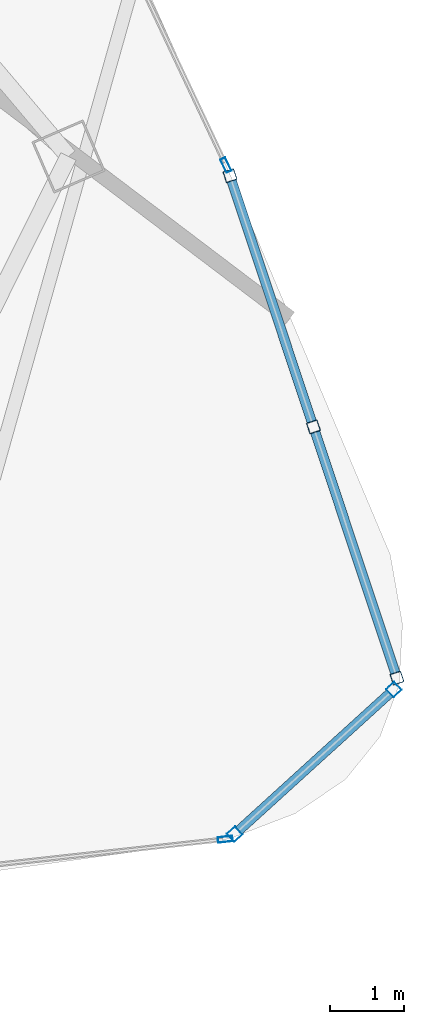
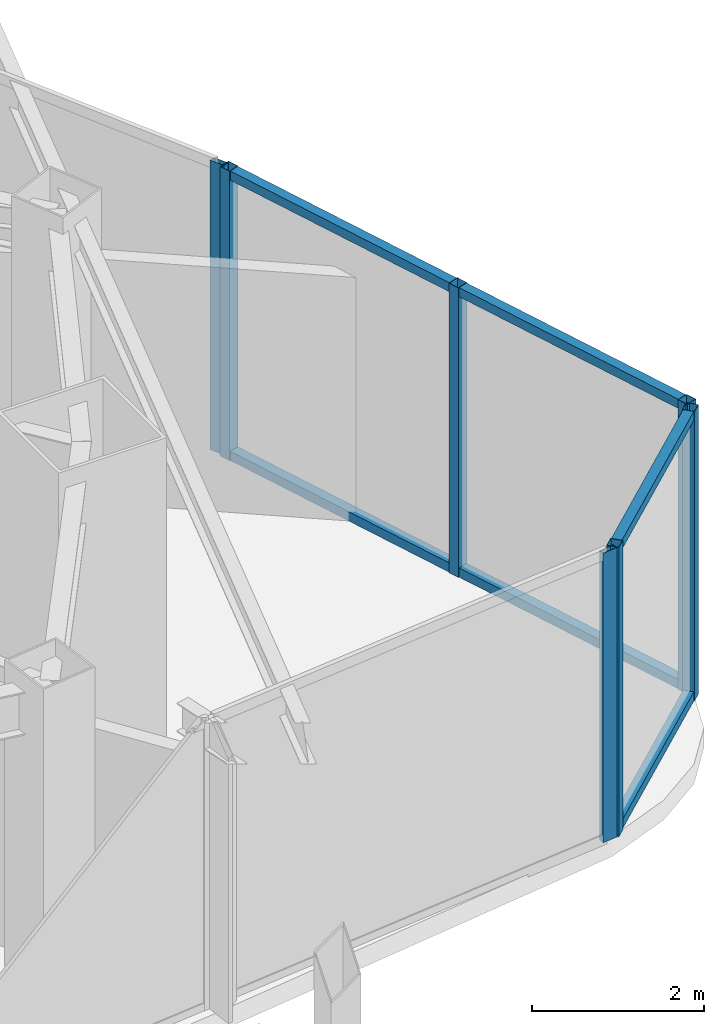
# One storey, part 14 of 28: 13 members, 4 elements without a shape of their own.
"""IFC4 building model written with IfcOpenShell, lengths in metres."""

from ifc_helpers import new_model, si_unit, direction, frame, origin, origin_2d, place, context, subcontext, project, spatial, hollow_rectangle, extrude, material, layer, layer_set, material_profile, profile_set, type_object, element, aggregate, save


model = new_model("IFC4")

# Units and contexts
model_context = context("Model", 3, precision=1e-05, world=origin(), true_north=direction((0.0, 1.0)))
body_context = subcontext(model_context, "Body", "Model", "MODEL_VIEW")
ifc_project = project(units=[si_unit("LENGTHUNIT", "METRE"), si_unit("AREAUNIT", "SQUARE_METRE"), si_unit("VOLUMEUNIT", "CUBIC_METRE"), si_unit("PLANEANGLEUNIT", "RADIAN"), si_unit("MASSUNIT", "GRAM", prefix="KILO")], contexts=[model_context])

# Site, building, storey
site_placement = place(None, origin())
site = spatial("IfcSite", under=ifc_project, at=site_placement, CompositionType="ELEMENT")
building_placement = place(site_placement, origin())
building = spatial("IfcBuilding", under=site, at=building_placement, Name="Orvanel Arch Residences", CompositionType="ELEMENT")
storey_placement = place(building_placement, frame((0.0, 0.0, 146.300048828125)))
storey = spatial("IfcBuildingStorey", under=building, at=storey_placement, Name="L41", CompositionType="ELEMENT", Elevation=146.300048828125)

# Curtain wall, members
ifc_material = material(Name="Bronze-anodised aluminium AA6063-T6", Category="aluminium")
ifc_layer_1 = layer(ifc_material, 0.18994140625)
ifc_layer_set_1 = layer_set([ifc_layer_1], Name="Bronze-anodised aluminium AA6063-T6")
curtain_wall_type_1 = type_object("IfcCurtainWallType", Name="CW5-CRN-SYS", PredefinedType="NOTDEFINED", material=ifc_layer_set_1)
curtain_wall_1_placement = place(storey_placement, origin())
curtain_wall_1 = element("IfcCurtainWall", 1, at=curtain_wall_1_placement, inside=storey, type_object=curtain_wall_type_1, Name="L41 CW5-CRN-SYS Unitised Curtain Wall", PredefinedType="NOTDEFINED")
ifc_material_profile_1 = material_profile(ifc_material, hollow_rectangle(XDim=0.14990234375, YDim=0.14990234375, WallThickness=0.0048828125, at=origin_2d()), Name="ALU150x150x5")
ifc_profile_set_1 = profile_set([ifc_material_profile_1], Name="Bronze-anodised aluminium AA6063-T6")
member_type_1 = type_object("IfcMemberType", Name="MUL-150x150", PredefinedType="MULLION", material=ifc_profile_set_1)
member_1_placement = place(storey_placement, frame((56.140625, 5.468505859375, 0.0), z_axis=(0.0, 0.0, 1.0), x_axis=(-0.672427261399, 0.740163210466, 0.0)))
member_1 = element("IfcMember", 2, at=member_1_placement, type_object=member_type_1, Name="CW-S5 mullion 1", PredefinedType="MULLION", context=body_context, shape_type="SweptSolid", body=[
    extrude(hollow_rectangle(XDim=0.14990234375, YDim=0.14990234375, WallThickness=0.0048828125, at=origin_2d()), origin(), (0.0, 0.0, 1.0), 4.10986328125),
])
member_2_placement = place(storey_placement, frame((58.280517578125, 7.41259765625, 0.0), z_axis=(0.0, 0.0, 1.0), x_axis=(-0.672427261399, 0.740163210466, 0.0)))
member_2 = element("IfcMember", 3, at=member_2_placement, type_object=member_type_1, Name="CW-S5 mullion 2", PredefinedType="MULLION", context=body_context, shape_type="SweptSolid", body=[
    extrude(hollow_rectangle(XDim=0.14990234375, YDim=0.14990234375, WallThickness=0.0048828125, at=origin_2d()), origin(), (0.0, 0.0, 1.0), 4.10986328125),
])

curtain_wall_2_placement = place(storey_placement, origin())
curtain_wall_2 = element("IfcCurtainWall", 4, at=curtain_wall_2_placement, inside=storey, type_object=curtain_wall_type_1, Name="L41 CW5-CRN-SYS Unitised Curtain Wall", PredefinedType="NOTDEFINED")
member_3_placement = place(storey_placement, frame((58.3212890625, 7.566162109375, 0.0), z_axis=(0.0, 0.0, 1.0), x_axis=(-0.94895803924, -0.315402345841, 0.0)))
member_3 = element("IfcMember", 5, at=member_3_placement, type_object=member_type_1, Name="CW-S5 mullion 1", PredefinedType="MULLION", context=body_context, shape_type="SweptSolid", body=[
    extrude(hollow_rectangle(XDim=0.14990234375, YDim=0.14990234375, WallThickness=0.0048828125, at=origin_2d()), origin(), (0.0, 0.0, 1.0), 4.10986328125),
])
member_4_placement = place(storey_placement, frame((57.198486328125, 10.944580078125, 0.0), z_axis=(0.0, 0.0, 1.0), x_axis=(-0.94895803924, -0.315402345841, 0.0)))
member_4 = element("IfcMember", 6, at=member_4_placement, type_object=member_type_1, Name="CW-S5 mullion 2", PredefinedType="MULLION", context=body_context, shape_type="SweptSolid", body=[
    extrude(hollow_rectangle(XDim=0.14990234375, YDim=0.14990234375, WallThickness=0.0048828125, at=origin_2d()), origin(), (0.0, 0.0, 1.0), 4.10986328125),
])
member_5_placement = place(storey_placement, frame((56.07568359375, 14.32275390625, 0.0), z_axis=(0.0, 0.0, 1.0), x_axis=(-0.94895803924, -0.315402345841, 0.0)))
member_5 = element("IfcMember", 7, at=member_5_placement, type_object=member_type_1, Name="CW-S5 mullion 3", PredefinedType="MULLION", context=body_context, shape_type="SweptSolid", body=[
    extrude(hollow_rectangle(XDim=0.14990234375, YDim=0.14990234375, WallThickness=0.0048828125, at=origin_2d()), origin(), (0.0, 0.0, 1.0), 4.10986328125),
])

# Curtain wall, member
ifc_layer_2 = layer(ifc_material, 0.195068359375)
ifc_layer_set_2 = layer_set([ifc_layer_2], Name="Bronze-anodised aluminium AA6063-T6")
curtain_wall_type_2 = type_object("IfcCurtainWallType", Name="CW6-COM-SYS", PredefinedType="NOTDEFINED", material=ifc_layer_set_2)
curtain_wall_3_placement = place(storey_placement, origin())
curtain_wall_3 = element("IfcCurtainWall", 8, at=curtain_wall_3_placement, inside=storey, type_object=curtain_wall_type_2, Name="L41 CW6-COM-SYS Unitised Curtain Wall", PredefinedType="NOTDEFINED")
ifc_material_profile_2 = material_profile(ifc_material, hollow_rectangle(XDim=0.074951171875, YDim=0.199951171875, WallThickness=0.0048828125, at=origin_2d()), Name="ALU200x75x5")
ifc_profile_set_2 = profile_set([ifc_material_profile_2], Name="Bronze-anodised aluminium AA6063-T6")
member_type_2 = type_object("IfcMemberType", Name="MUL-200x75", PredefinedType="MULLION", material=ifc_profile_set_2)
member_6_placement = place(storey_placement, frame((56.0126953125, 5.39892578125, 0.0), z_axis=(0.0, 0.0, 1.0), x_axis=(-0.110090261109, 0.993921593693, 0.0)))
member_6 = element("IfcMember", 9, at=member_6_placement, type_object=member_type_2, Name="CW-S6 mullion 4", PredefinedType="MULLION", context=body_context, shape_type="SweptSolid", body=[
    extrude(hollow_rectangle(XDim=0.074951171875, YDim=0.199951171875, WallThickness=0.0048828125, at=origin_2d()), origin(), (0.0, 0.0, 1.0), 4.10986328125),
])
aggregate(curtain_wall_3, [member_6])

curtain_wall_4_placement = place(storey_placement, origin())
curtain_wall_4 = element("IfcCurtainWall", 10, at=curtain_wall_4_placement, inside=storey, type_object=curtain_wall_type_2, Name="L41 CW6-COM-SYS Unitised Curtain Wall", PredefinedType="NOTDEFINED")
member_7_placement = place(storey_placement, frame((56.02099609375, 14.46484375, 0.0), z_axis=(0.0, 0.0, 1.0), x_axis=(-0.904796375082, -0.425844478229, 0.0)))
member_7 = element("IfcMember", 11, at=member_7_placement, type_object=member_type_2, Name="CW-S6 mullion 1", PredefinedType="MULLION", context=body_context, shape_type="SweptSolid", body=[
    extrude(hollow_rectangle(XDim=0.074951171875, YDim=0.199951171875, WallThickness=0.0048828125, at=origin_2d()), origin(), (0.0, 0.0, 1.0), 4.10986328125),
])
aggregate(curtain_wall_4, [member_7])

# Member
ifc_material_profile_3 = material_profile(ifc_material, hollow_rectangle(XDim=0.1298828125, YDim=0.1298828125, WallThickness=0.00439453125, at=origin_2d()), Name="ALU130x130x4.5")
ifc_profile_set_3 = profile_set([ifc_material_profile_3], Name="Bronze-anodised aluminium AA6063-T6")
member_type_3 = type_object("IfcMemberType", Name="TRN-130x130", PredefinedType="USERDEFINED", material=ifc_profile_set_3)
member_8_placement = place(storey_placement, frame((56.196044921875, 5.518798828125, 0.06494140625), z_axis=(0.740141547824, 0.672451105423, 0.0), x_axis=(-0.672451105423, 0.740141547824, 0.0)))
member_8 = element("IfcMember", 12, at=member_8_placement, type_object=member_type_3, Name="CW-S5 transom 1.1", ObjectType="TRANSOM", PredefinedType="USERDEFINED", context=body_context, shape_type="SweptSolid", body=[
    extrude(hollow_rectangle(XDim=0.1298828125, YDim=0.1298828125, WallThickness=0.00439453125, at=origin_2d()), origin(), (0.0, 0.0, 1.0), 2.7412109375),
])

member_9_placement = place(storey_placement, frame((56.196044921875, 5.518798828125, 4.044921875), z_axis=(0.740141547824, 0.672451105423, 0.0), x_axis=(-0.672451105423, 0.740141547824, 0.0)))
member_9 = element("IfcMember", 13, at=member_9_placement, type_object=member_type_3, Name="CW-S5 transom 1.2", ObjectType="TRANSOM", PredefinedType="USERDEFINED", context=body_context, shape_type="SweptSolid", body=[
    extrude(hollow_rectangle(XDim=0.1298828125, YDim=0.1298828125, WallThickness=0.00439453125, at=origin_2d()), origin(), (0.0, 0.0, 1.0), 2.7412109375),
])

aggregate(curtain_wall_1, [member_1, member_2, member_8, member_9])

member_10_placement = place(storey_placement, frame((58.297607421875, 7.637451171875, 0.06494140625), z_axis=(-0.315389944131, 0.948962161069, 0.0), x_axis=(-0.948962161069, -0.315389944131, 0.0)))
member_10 = element("IfcMember", 14, at=member_10_placement, type_object=member_type_3, Name="CW-S5 transom 1.1", ObjectType="TRANSOM", PredefinedType="USERDEFINED", context=body_context, shape_type="SweptSolid", body=[
    extrude(hollow_rectangle(XDim=0.1298828125, YDim=0.1298828125, WallThickness=0.00439453125, at=origin_2d()), origin(), (0.0, 0.0, 1.0), 3.409912109375),
])

member_11_placement = place(storey_placement, frame((58.297607421875, 7.637451171875, 4.044921875), z_axis=(-0.315389944131, 0.948962161069, 0.0), x_axis=(-0.948962161069, -0.315389944131, 0.0)))
member_11 = element("IfcMember", 15, at=member_11_placement, type_object=member_type_3, Name="CW-S5 transom 1.2", ObjectType="TRANSOM", PredefinedType="USERDEFINED", context=body_context, shape_type="SweptSolid", body=[
    extrude(hollow_rectangle(XDim=0.1298828125, YDim=0.1298828125, WallThickness=0.00439453125, at=origin_2d()), origin(), (0.0, 0.0, 1.0), 3.409912109375),
])

member_12_placement = place(storey_placement, frame((57.1748046875, 11.015625, 0.06494140625), z_axis=(-0.315368516666, 0.948969282272, 0.0), x_axis=(-0.948969282272, -0.315368516666, 0.0)))
member_12 = element("IfcMember", 16, at=member_12_placement, type_object=member_type_3, Name="CW-S5 transom 2.1", ObjectType="TRANSOM", PredefinedType="USERDEFINED", context=body_context, shape_type="SweptSolid", body=[
    extrude(hollow_rectangle(XDim=0.1298828125, YDim=0.1298828125, WallThickness=0.00439453125, at=origin_2d()), origin(), (0.0, 0.0, 1.0), 3.41015625),
])

member_13_placement = place(storey_placement, frame((57.1748046875, 11.015625, 4.044921875), z_axis=(-0.315368516666, 0.948969282272, 0.0), x_axis=(-0.948969282272, -0.315368516666, 0.0)))
member_13 = element("IfcMember", 17, at=member_13_placement, type_object=member_type_3, Name="CW-S5 transom 2.2", ObjectType="TRANSOM", PredefinedType="USERDEFINED", context=body_context, shape_type="SweptSolid", body=[
    extrude(hollow_rectangle(XDim=0.1298828125, YDim=0.1298828125, WallThickness=0.00439453125, at=origin_2d()), origin(), (0.0, 0.0, 1.0), 3.41015625),
])

aggregate(curtain_wall_2, [member_3, member_4, member_5, member_10, member_11, member_12, member_13])

save(model, "model.ifc")
